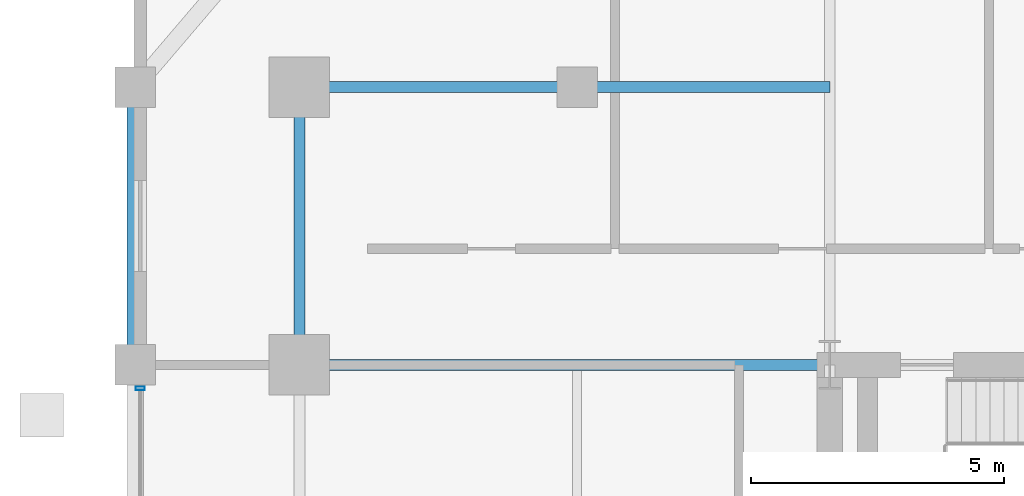
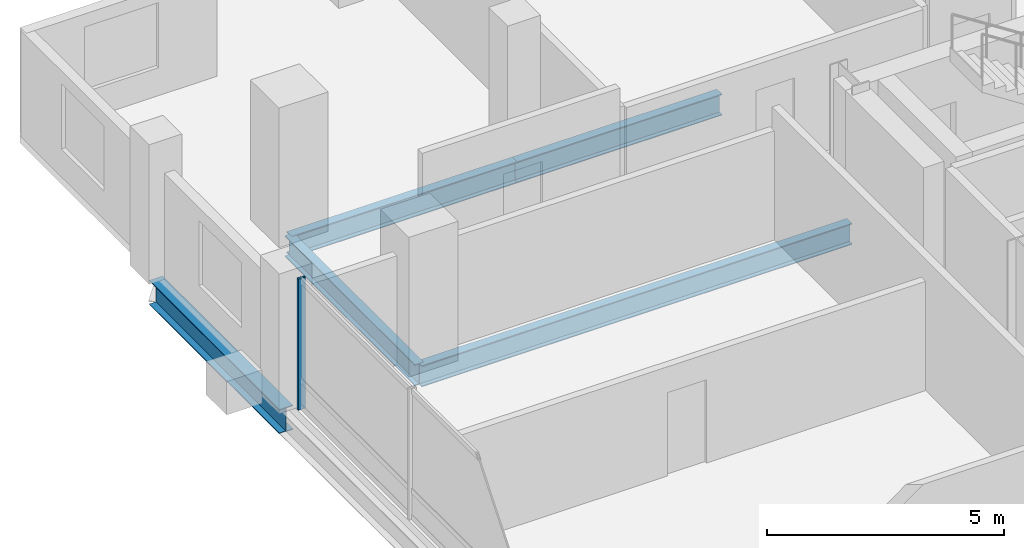
# One storey, part 8 of 19: 5 beams, 1 member, 1 element without a shape of its own.
"""IFC4 building model written with IfcOpenShell, lengths in metres."""

from ifc_helpers import new_model, si_unit, direction, frame, origin, origin_2d, place, context, subcontext, project, spatial, hollow_rectangle, i_section, extrude, material, layer, layer_set, material_profile, profile_set, type_object, element, aggregate, save


model = new_model("IFC4")

# Units and contexts
model_context = context("Model", 3, precision=1e-05, world=origin(), true_north=direction((0.0, 1.0)))
body_context = subcontext(model_context, "Body", "Model", "MODEL_VIEW")
ifc_project = project(units=[si_unit("LENGTHUNIT", "METRE"), si_unit("AREAUNIT", "SQUARE_METRE"), si_unit("VOLUMEUNIT", "CUBIC_METRE"), si_unit("PLANEANGLEUNIT", "RADIAN"), si_unit("MASSUNIT", "GRAM", prefix="KILO")], contexts=[model_context])

# Site, building, storey
site_placement = place(None, origin())
site = spatial("IfcSite", under=ifc_project, at=site_placement, CompositionType="ELEMENT")
building_placement = place(site_placement, origin())
building = spatial("IfcBuilding", under=site, at=building_placement, Name="Barlavira Tower and Art Museum", CompositionType="ELEMENT")
storey_placement = place(building_placement, frame((0.0, 0.0, 158.39990234375)))
storey = spatial("IfcBuildingStorey", under=building, at=storey_placement, Name="L40", CompositionType="ELEMENT", Elevation=158.39990234375)

# Curtain wall, member
ifc_material_1 = material(Name="Low-iron coastal laminated glass", Category="glass")
ifc_layer = layer(ifc_material_1, 0.18994140625, Name="Low-iron coastal laminated glass")
ifc_layer_set = layer_set([ifc_layer], Name="Low-iron coastal laminated glass")
curtain_wall_type = type_object("IfcCurtainWallType", Name="Pale-Metal Unitised Curtain Wall Zone 2", PredefinedType="NOTDEFINED", material=ifc_layer_set)
curtain_wall_placement = place(storey_placement, origin())
curtain_wall = element("IfcCurtainWall", 1, at=curtain_wall_placement, inside=storey, type_object=curtain_wall_type, Name="L40 Curtain Wall CW2-L40-W-B3", PredefinedType="NOTDEFINED")
ifc_material_2 = material(Name="Pale anodised aluminium", Category="aluminium")
ifc_material_profile_1 = material_profile(ifc_material_2, hollow_rectangle(XDim=0.06494140625, YDim=0.179931640625, WallThickness=0.00390625, at=origin_2d()), Name="ALU-MULL 65x180x4")
ifc_profile_set_1 = profile_set([ifc_material_profile_1], Name="Pale anodised aluminium")
member_type = type_object("IfcMemberType", Name="Curtain Wall Pale-Metal Mullion 65x180", PredefinedType="MULLION", material=ifc_profile_set_1)
member_placement = place(storey_placement, frame((-20.14990234375, 7.034912109375, 0.0), z_axis=(0.0, 0.0, 1.0), x_axis=(0.0, -1.0, 0.0)))
member = element("IfcMember", 2, at=member_placement, type_object=member_type, Name="CW2-L40-W-B3 Mullion 0", PredefinedType="MULLION", context=body_context, shape_type="SweptSolid", body=[
    extrude(hollow_rectangle(XDim=0.06494140625, YDim=0.179931640625, WallThickness=0.00390625, at=origin_2d()), origin(), (0.0, 0.0, 1.0), 3.380126953125),
])
aggregate(curtain_wall, [member])

# Beams
ifc_material_3 = material(Name="Steel S355", Category="steel")
ifc_material_profile_2 = material_profile(ifc_material_3, i_section(OverallWidth=0.327880859375, OverallDepth=0.62890625, WebThickness=0.013916015625, FlangeThickness=0.021484375, at=origin_2d()), Name="W610x174.0")
ifc_profile_set_2 = profile_set([ifc_material_profile_2], Name="Steel S355")
beam_type_1 = type_object("IfcBeamType", Name="Perimeter Spandrel Edge Beam W610x174 Steel S355", PredefinedType="SPANDREL", material=ifc_profile_set_2)
beam_1_placement = place(storey_placement, frame((-20.25, 7.5, -0.534423828125), z_axis=(0.0, 1.0, 0.0), x_axis=(-1.0, 0.0, 0.0)))
element("IfcBeam", 3, at=beam_1_placement, inside=storey, type_object=beam_type_1, Name="L40 Spandrel 13", PredefinedType="SPANDREL", context=body_context, shape_type="SweptSolid", body=[
    extrude(i_section(OverallWidth=0.327880859375, OverallDepth=0.62890625, WebThickness=0.013916015625, FlangeThickness=0.021484375, at=origin_2d()), origin(), (0.0, 0.0, 1.0), 5.5),
])
ifc_material_profile_3 = material_profile(ifc_material_3, i_section(OverallWidth=0.214111328125, OverallDepth=0.549072265625, WebThickness=0.0146484375, FlangeThickness=0.023681640625, at=origin_2d()), Name="W530x138.0")
ifc_profile_set_3 = profile_set([ifc_material_profile_3], Name="Steel S355")
beam_type_2 = type_object("IfcBeamType", Name="Zone 1 Primary Floor Girder W530x138 Steel S355", PredefinedType="BEAM", material=ifc_profile_set_3)
beam_2_placement = place(storey_placement, frame((-17.0, 7.5, -0.494384765625), z_axis=(0.0, 1.0, 0.0), x_axis=(-1.0, 0.0, 0.0)))
element("IfcBeam", 4, at=beam_2_placement, inside=storey, type_object=beam_type_2, Name="L40 Girder M-W3", PredefinedType="BEAM", context=body_context, shape_type="SweptSolid", body=[
    extrude(i_section(OverallWidth=0.214111328125, OverallDepth=0.549072265625, WebThickness=0.0146484375, FlangeThickness=0.023681640625, at=origin_2d()), origin(), (0.0, 0.0, 1.0), 5.5),
])
beam_3_placement = place(storey_placement, frame((-17.0, 7.5, -0.494384765625), z_axis=(1.0, 0.0, 0.0), x_axis=(0.0, 1.0, 0.0)))
element("IfcBeam", 5, at=beam_3_placement, inside=storey, type_object=beam_type_2, Name="L40 Girder R-W2", PredefinedType="BEAM", context=body_context, shape_type="SweptSolid", body=[
    extrude(i_section(OverallWidth=0.214111328125, OverallDepth=0.549072265625, WebThickness=0.0146484375, FlangeThickness=0.023681640625, at=origin_2d()), origin(), (0.0, 0.0, 1.0), 10.5),
])
beam_4_placement = place(storey_placement, frame((-17.0, 13.0, -0.494384765625), z_axis=(1.0, 0.0, 0.0), x_axis=(0.0, 1.0, 0.0)))
element("IfcBeam", 6, at=beam_4_placement, inside=storey, type_object=beam_type_2, Name="L40 Girder I-N1", PredefinedType="BEAM", context=body_context, shape_type="SweptSolid", body=[
    extrude(i_section(OverallWidth=0.214111328125, OverallDepth=0.549072265625, WebThickness=0.0146484375, FlangeThickness=0.023681640625, at=origin_2d()), origin(), (0.0, 0.0, 1.0), 5.5),
])
beam_5_placement = place(storey_placement, frame((-11.5, 13.0, -0.494384765625), z_axis=(1.0, 0.0, 0.0), x_axis=(0.0, 1.0, 0.0)))
element("IfcBeam", 7, at=beam_5_placement, inside=storey, type_object=beam_type_2, Name="L40 Girder I-N2", PredefinedType="BEAM", context=body_context, shape_type="SweptSolid", body=[
    extrude(i_section(OverallWidth=0.214111328125, OverallDepth=0.549072265625, WebThickness=0.0146484375, FlangeThickness=0.023681640625, at=origin_2d()), origin(), (0.0, 0.0, 1.0), 5.0),
])

save(model, "model.ifc")
